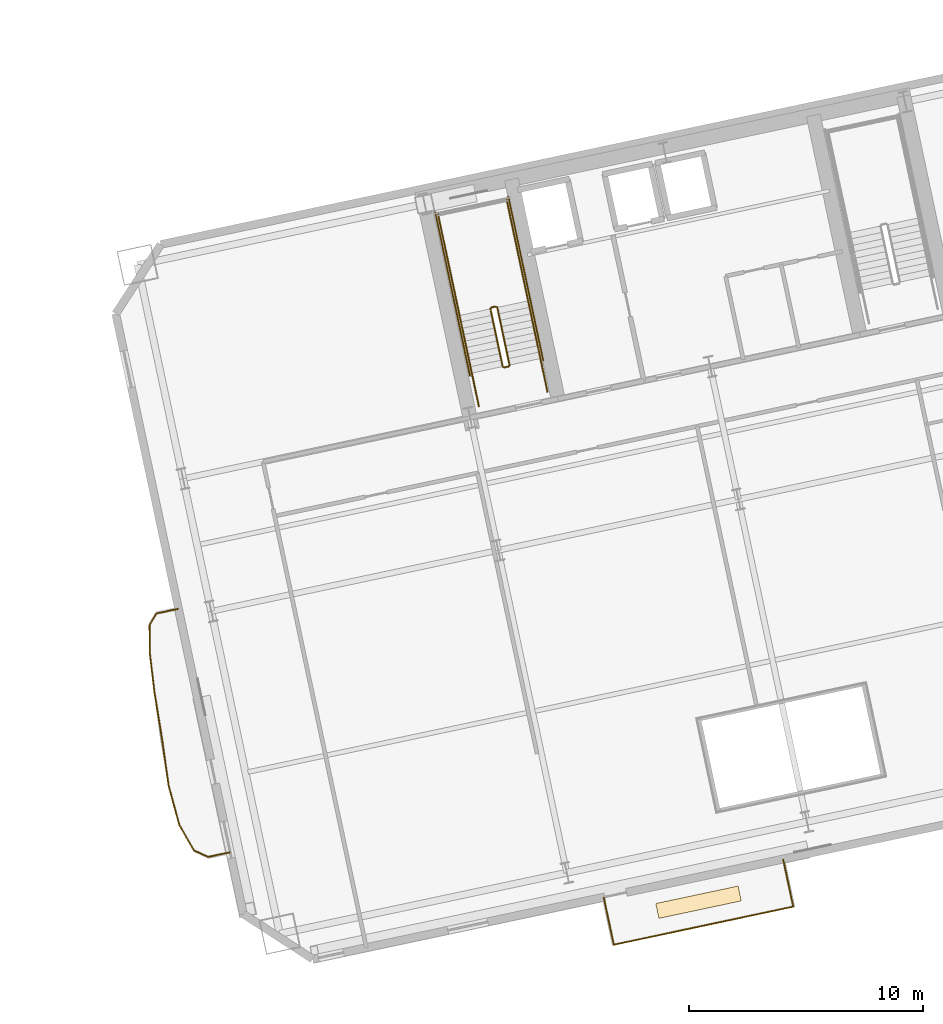
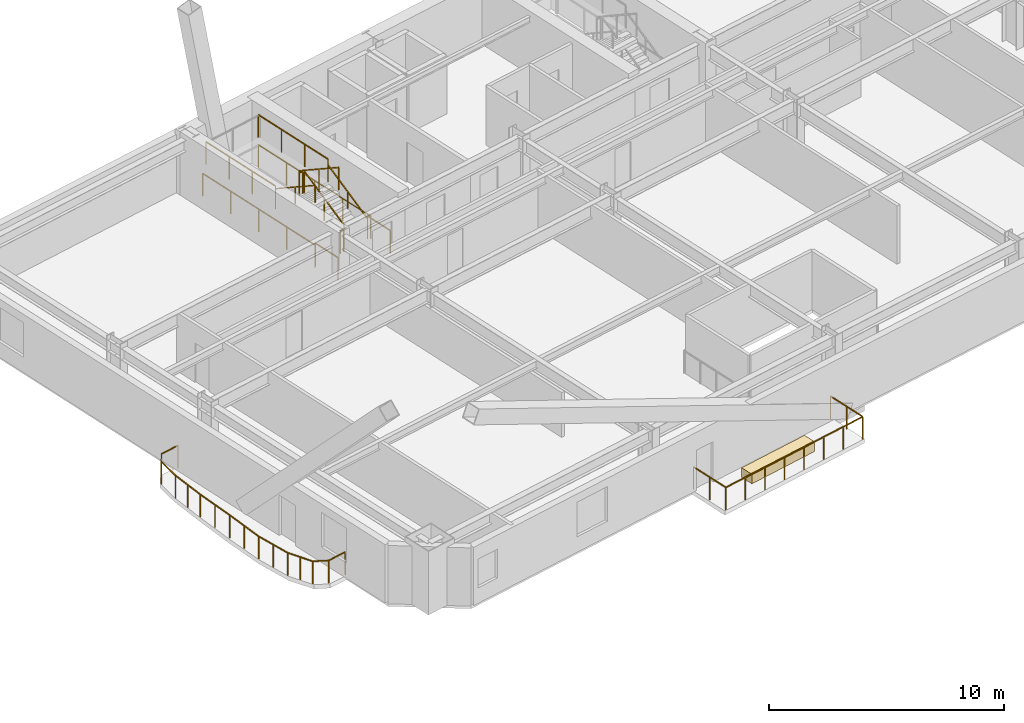
# One storey, part 15 of 18: 25 railings, 1 covering.
"""IFC4 building model written with IfcOpenShell, lengths in metres."""

from ifc_helpers import new_model, si_unit, direction, frame, origin, origin_2d, place, context, subcontext, project, spatial, rectangle, extrude, material, layer, layer_set, type_object, element, save


model = new_model("IFC4")

# Units and contexts
model_context = context("Model", 3, precision=1e-05, world=origin(), true_north=direction((0.0, 1.0)))
body_context = subcontext(model_context, "Body", "Model", "MODEL_VIEW")
ifc_project = project(units=[si_unit("LENGTHUNIT", "METRE"), si_unit("AREAUNIT", "SQUARE_METRE"), si_unit("VOLUMEUNIT", "CUBIC_METRE"), si_unit("PLANEANGLEUNIT", "RADIAN"), si_unit("MASSUNIT", "GRAM", prefix="KILO")], contexts=[model_context])

# Site, building, storey
site_placement = place(None, origin())
site = spatial("IfcSite", under=ifc_project, at=site_placement, CompositionType="ELEMENT")
building_placement = place(site_placement, origin())
building = spatial("IfcBuilding", under=site, at=building_placement, Name="Haevon Station Towers", CompositionType="ELEMENT")
storey_placement = place(building_placement, frame((0.0, 0.0, 60.300048828125)))
storey = spatial("IfcBuildingStorey", under=building, at=storey_placement, Name="L15", CompositionType="ELEMENT", Elevation=60.300048828125)

# Railings
ifc_material_1 = material(Name="Steel S355", Category="steel")
railing_type_1 = type_object("IfcRailingType", Name="GRD-EXT1200", PredefinedType="GUARDRAIL", material=ifc_material_1)
railing_1_placement = place(storey_placement, frame((86.256591796875, 29.2626953125, 0.0)))
element("IfcRailing", 1, at=railing_1_placement, inside=storey, type_object=railing_type_1, Name="L15 Perimeter Guardrail 1", PredefinedType="GUARDRAIL", context=body_context, shape_type="SweptSolid", body=[
    extrude(rectangle(XDim=0.048095703125, YDim=0.048095703125, at=origin_2d()), frame((0.0, 0.0, 1.17578125), z_axis=(-0.97773800114, -0.209829457244, 0.0), x_axis=(0.209829457244, -0.97773800114, 0.0)), (0.0, 0.0, 1.0), 0.943603515625),
    extrude(rectangle(XDim=0.0419921875, YDim=0.0419921875, at=origin_2d()), origin(), (0.0, 0.0, 1.0), 1.15185546875),
    extrude(rectangle(XDim=0.0419921875, YDim=0.0419921875, at=origin_2d()), frame((-0.922607421875, -0.197998046875, 0.0)), (0.0, 0.0, 1.0), 1.15185546875),
])
railing_2_placement = place(storey_placement, frame((85.333984375, 29.064697265625, 0.0)))
element("IfcRailing", 2, at=railing_2_placement, inside=storey, type_object=railing_type_1, Name="L15 Perimeter Guardrail 2", PredefinedType="GUARDRAIL", context=body_context, shape_type="SweptSolid", body=[
    extrude(rectangle(XDim=0.048095703125, YDim=0.048095703125, at=origin_2d()), frame((0.0, 0.0, 1.17578125), z_axis=(-0.516725234501, -0.856151290386, 0.0), x_axis=(0.856151290386, -0.516725234501, 0.0)), (0.0, 0.0, 1.0), 0.563232421875),
    extrude(rectangle(XDim=0.0419921875, YDim=0.0419921875, at=origin_2d()), origin(), (0.0, 0.0, 1.0), 1.15185546875),
    extrude(rectangle(XDim=0.0419921875, YDim=0.0419921875, at=origin_2d()), frame((-0.291015625, -0.482177734375, 0.0)), (0.0, 0.0, 1.0), 1.15185546875),
])
railing_3_placement = place(storey_placement, frame((85.04296875, 28.58251953125, 0.0)))
element("IfcRailing", 3, at=railing_3_placement, inside=storey, type_object=railing_type_1, Name="L15 Perimeter Guardrail 3", PredefinedType="GUARDRAIL", context=body_context, shape_type="SweptSolid", body=[
    extrude(rectangle(XDim=0.048095703125, YDim=0.048095703125, at=origin_2d()), frame((0.0, 0.0, 1.17578125), z_axis=(0.006742797265, -0.999977267084, 0.0), x_axis=(0.999977267084, 0.006742797265, 0.0)), (0.0, 0.0, 1.0), 1.19482421875),
    extrude(rectangle(XDim=0.0419921875, YDim=0.0419921875, at=origin_2d()), origin(), (0.0, 0.0, 1.0), 1.15185546875),
    extrude(rectangle(XDim=0.0419921875, YDim=0.0419921875, at=origin_2d()), frame((0.008056640625, -1.19482421875, 0.0)), (0.0, 0.0, 1.0), 1.15185546875),
])
railing_4_placement = place(storey_placement, frame((85.051025390625, 27.3876953125, 0.0)))
element("IfcRailing", 4, at=railing_4_placement, inside=storey, type_object=railing_type_1, Name="L15 Perimeter Guardrail 4", PredefinedType="GUARDRAIL", context=body_context, shape_type="SweptSolid", body=[
    extrude(rectangle(XDim=0.048095703125, YDim=0.048095703125, at=origin_2d()), frame((0.0, 0.0, 1.17578125), z_axis=(0.11880003649, -0.992918199717, 0.0), x_axis=(0.992918199717, 0.11880003649, 0.0)), (0.0, 0.0, 1.0), 1.757080078125),
    extrude(rectangle(XDim=0.0419921875, YDim=0.0419921875, at=origin_2d()), origin(), (0.0, 0.0, 1.0), 1.15185546875),
    extrude(rectangle(XDim=0.0419921875, YDim=0.0419921875, at=origin_2d()), frame((0.1044921875, -0.872314453125, 0.0)), (0.0, 0.0, 1.0), 1.15185546875),
    extrude(rectangle(XDim=0.0419921875, YDim=0.0419921875, at=origin_2d()), frame((0.208740234375, -1.74462890625, 0.0)), (0.0, 0.0, 1.0), 1.15185546875),
])
railing_5_placement = place(storey_placement, frame((85.259765625, 25.64306640625, 0.0)))
element("IfcRailing", 5, at=railing_5_placement, inside=storey, type_object=railing_type_1, Name="L15 Perimeter Guardrail 5", PredefinedType="GUARDRAIL", context=body_context, shape_type="SweptSolid", body=[
    extrude(rectangle(XDim=0.048095703125, YDim=0.048095703125, at=origin_2d()), frame((0.0, 0.0, 1.17578125), z_axis=(0.161236703903, -0.986915764042, 0.0), x_axis=(0.986915764042, 0.161236703903, 0.0)), (0.0, 0.0, 1.0), 1.9912109375),
    extrude(rectangle(XDim=0.0419921875, YDim=0.0419921875, at=origin_2d()), origin(), (0.0, 0.0, 1.0), 1.15185546875),
    extrude(rectangle(XDim=0.0419921875, YDim=0.0419921875, at=origin_2d()), frame((0.16064453125, -0.982421875, 0.0)), (0.0, 0.0, 1.0), 1.15185546875),
    extrude(rectangle(XDim=0.0419921875, YDim=0.0419921875, at=origin_2d()), frame((0.321044921875, -1.965087890625, 0.0)), (0.0, 0.0, 1.0), 1.15185546875),
])
railing_6_placement = place(storey_placement, frame((85.580810546875, 23.677978515625, 0.0)))
element("IfcRailing", 6, at=railing_6_placement, inside=storey, type_object=railing_type_1, Name="L15 Perimeter Guardrail 6", PredefinedType="GUARDRAIL", context=body_context, shape_type="SweptSolid", body=[
    extrude(rectangle(XDim=0.048095703125, YDim=0.048095703125, at=origin_2d()), frame((0.0, 0.0, 1.17578125), z_axis=(0.138834995519, -0.990315527506, 0.0), x_axis=(0.990315527506, 0.138834995519, 0.0)), (0.0, 0.0, 1.0), 1.995849609375),
    extrude(rectangle(XDim=0.0419921875, YDim=0.0419921875, at=origin_2d()), origin(), (0.0, 0.0, 1.0), 1.15185546875),
    extrude(rectangle(XDim=0.0419921875, YDim=0.0419921875, at=origin_2d()), frame((0.138671875, -0.98828125, 0.0)), (0.0, 0.0, 1.0), 1.15185546875),
    extrude(rectangle(XDim=0.0419921875, YDim=0.0419921875, at=origin_2d()), frame((0.277099609375, -1.9765625, 0.0)), (0.0, 0.0, 1.0), 1.15185546875),
])
railing_7_placement = place(storey_placement, frame((85.85791015625, 21.701416015625, 0.0)))
element("IfcRailing", 7, at=railing_7_placement, inside=storey, type_object=railing_type_1, Name="L15 Perimeter Guardrail 7", PredefinedType="GUARDRAIL", context=body_context, shape_type="SweptSolid", body=[
    extrude(rectangle(XDim=0.048095703125, YDim=0.048095703125, at=origin_2d()), frame((0.0, 0.0, 1.17578125), z_axis=(0.264025540485, -0.964515688816, 0.0), x_axis=(0.964515688816, 0.264025540485, 0.0)), (0.0, 0.0, 1.0), 1.75146484375),
    extrude(rectangle(XDim=0.0419921875, YDim=0.0419921875, at=origin_2d()), origin(), (0.0, 0.0, 1.0), 1.15185546875),
    extrude(rectangle(XDim=0.0419921875, YDim=0.0419921875, at=origin_2d()), frame((0.231201171875, -0.8447265625, 0.0)), (0.0, 0.0, 1.0), 1.15185546875),
    extrude(rectangle(XDim=0.0419921875, YDim=0.0419921875, at=origin_2d()), frame((0.46240234375, -1.689208984375, 0.0)), (0.0, 0.0, 1.0), 1.15185546875),
])
railing_8_placement = place(storey_placement, frame((86.3203125, 20.01220703125, 0.0)))
element("IfcRailing", 8, at=railing_8_placement, inside=storey, type_object=railing_type_1, Name="L15 Perimeter Guardrail 8", PredefinedType="GUARDRAIL", context=body_context, shape_type="SweptSolid", body=[
    extrude(rectangle(XDim=0.048095703125, YDim=0.048095703125, at=origin_2d()), frame((0.0, 0.0, 1.17578125), z_axis=(0.494703008184, -0.869062100022, 0.0), x_axis=(0.869062100022, 0.494703008184, 0.0)), (0.0, 0.0, 1.0), 1.227294921875),
    extrude(rectangle(XDim=0.0419921875, YDim=0.0419921875, at=origin_2d()), origin(), (0.0, 0.0, 1.0), 1.15185546875),
    extrude(rectangle(XDim=0.0419921875, YDim=0.0419921875, at=origin_2d()), frame((0.3037109375, -0.533203125, 0.0)), (0.0, 0.0, 1.0), 1.15185546875),
    extrude(rectangle(XDim=0.0419921875, YDim=0.0419921875, at=origin_2d()), frame((0.607177734375, -1.066650390625, 0.0)), (0.0, 0.0, 1.0), 1.15185546875),
])
railing_9_placement = place(storey_placement, frame((86.927490234375, 18.945556640625, 0.0)))
element("IfcRailing", 9, at=railing_9_placement, inside=storey, type_object=railing_type_1, Name="L15 Perimeter Guardrail 9", PredefinedType="GUARDRAIL", context=body_context, shape_type="SweptSolid", body=[
    extrude(rectangle(XDim=0.048095703125, YDim=0.048095703125, at=origin_2d()), frame((0.0, 0.0, 1.17578125), z_axis=(0.90625622048, -0.422728828969, 0.0), x_axis=(0.422728828969, 0.90625622048, 0.0)), (0.0, 0.0, 1.0), 0.6826171875),
    extrude(rectangle(XDim=0.0419921875, YDim=0.0419921875, at=origin_2d()), origin(), (0.0, 0.0, 1.0), 1.15185546875),
    extrude(rectangle(XDim=0.0419921875, YDim=0.0419921875, at=origin_2d()), frame((0.61865234375, -0.28857421875, 0.0)), (0.0, 0.0, 1.0), 1.15185546875),
])
railing_10_placement = place(storey_placement, frame((87.546142578125, 18.656982421875, 0.0)))
element("IfcRailing", 10, at=railing_10_placement, inside=storey, type_object=railing_type_1, Name="L15 Perimeter Guardrail 10", PredefinedType="GUARDRAIL", context=body_context, shape_type="SweptSolid", body=[
    extrude(rectangle(XDim=0.048095703125, YDim=0.048095703125, at=origin_2d()), frame((0.0, 0.0, 1.17578125), z_axis=(0.97862382912, 0.205658457349, 0.0), x_axis=(-0.205658457349, 0.97862382912, 0.0)), (0.0, 0.0, 1.0), 0.94384765625),
    extrude(rectangle(XDim=0.0419921875, YDim=0.0419921875, at=origin_2d()), origin(), (0.0, 0.0, 1.0), 1.15185546875),
    extrude(rectangle(XDim=0.0419921875, YDim=0.0419921875, at=origin_2d()), frame((0.923583984375, 0.194091796875, 0.0)), (0.0, 0.0, 1.0), 1.15185546875),
])
railing_11_placement = place(storey_placement, frame((104.9013671875, 14.8984375, 0.0)))
element("IfcRailing", 11, at=railing_11_placement, inside=storey, type_object=railing_type_1, Name="L15 Perimeter Guardrail 1", PredefinedType="GUARDRAIL", context=body_context, shape_type="SweptSolid", body=[
    extrude(rectangle(XDim=0.048095703125, YDim=0.048095703125, at=origin_2d()), frame((0.0, 0.0, 1.17578125), z_axis=(0.978146748157, 0.207915701837, 0.0), x_axis=(-0.207915701837, 0.978146748157, 0.0)), (0.0, 0.0, 1.0), 7.844970703125),
    extrude(rectangle(XDim=0.0419921875, YDim=0.0419921875, at=origin_2d()), origin(), (0.0, 0.0, 1.0), 1.15185546875),
    extrude(rectangle(XDim=0.0419921875, YDim=0.0419921875, at=origin_2d()), frame((1.09619140625, 0.23291015625, 0.0)), (0.0, 0.0, 1.0), 1.15185546875),
    extrude(rectangle(XDim=0.0419921875, YDim=0.0419921875, at=origin_2d()), frame((2.1923828125, 0.466064453125, 0.0)), (0.0, 0.0, 1.0), 1.15185546875),
    extrude(rectangle(XDim=0.0419921875, YDim=0.0419921875, at=origin_2d()), frame((3.28857421875, 0.698974609375, 0.0)), (0.0, 0.0, 1.0), 1.15185546875),
    extrude(rectangle(XDim=0.0419921875, YDim=0.0419921875, at=origin_2d()), frame((4.385009765625, 0.93212890625, 0.0)), (0.0, 0.0, 1.0), 1.15185546875),
    extrude(rectangle(XDim=0.0419921875, YDim=0.0419921875, at=origin_2d()), frame((5.481201171875, 1.1650390625, 0.0)), (0.0, 0.0, 1.0), 1.15185546875),
    extrude(rectangle(XDim=0.0419921875, YDim=0.0419921875, at=origin_2d()), frame((6.577392578125, 1.398193359375, 0.0)), (0.0, 0.0, 1.0), 1.15185546875),
    extrude(rectangle(XDim=0.0419921875, YDim=0.0419921875, at=origin_2d()), frame((7.673583984375, 1.631103515625, 0.0)), (0.0, 0.0, 1.0), 1.15185546875),
])
railing_12_placement = place(storey_placement, frame((112.574951171875, 16.529541015625, 0.0)))
element("IfcRailing", 12, at=railing_12_placement, inside=storey, type_object=railing_type_1, Name="L15 Perimeter Guardrail 2", PredefinedType="GUARDRAIL", context=body_context, shape_type="SweptSolid", body=[
    extrude(rectangle(XDim=0.048095703125, YDim=0.048095703125, at=origin_2d()), frame((0.0, 0.0, 1.17578125), z_axis=(-0.207848806692, 0.978160965055, 0.0), x_axis=(-0.978160965055, -0.207848806692, 0.0)), (0.0, 0.0, 1.0), 2.054443359375),
    extrude(rectangle(XDim=0.0419921875, YDim=0.0419921875, at=origin_2d()), origin(), (0.0, 0.0, 1.0), 1.15185546875),
    extrude(rectangle(XDim=0.0419921875, YDim=0.0419921875, at=origin_2d()), frame((-0.21337890625, 1.0048828125, 0.0)), (0.0, 0.0, 1.0), 1.15185546875),
    extrude(rectangle(XDim=0.0419921875, YDim=0.0419921875, at=origin_2d()), frame((-0.427001953125, 2.009521484375, 0.0)), (0.0, 0.0, 1.0), 1.15185546875),
])
railing_13_placement = place(storey_placement, frame((104.47412109375, 16.907958984375, 0.0)))
element("IfcRailing", 13, at=railing_13_placement, inside=storey, type_object=railing_type_1, Name="L15 Perimeter Guardrail 3", PredefinedType="GUARDRAIL", context=body_context, shape_type="SweptSolid", body=[
    extrude(rectangle(XDim=0.048095703125, YDim=0.048095703125, at=origin_2d()), frame((0.0, 0.0, 1.17578125), z_axis=(0.207962507169, -0.978136798005, 0.0), x_axis=(0.978136798005, 0.207962507169, 0.0)), (0.0, 0.0, 1.0), 2.054443359375),
    extrude(rectangle(XDim=0.0419921875, YDim=0.0419921875, at=origin_2d()), origin(), (0.0, 0.0, 1.0), 1.15185546875),
    extrude(rectangle(XDim=0.0419921875, YDim=0.0419921875, at=origin_2d()), frame((0.213623046875, -1.0048828125, 0.0)), (0.0, 0.0, 1.0), 1.15185546875),
    extrude(rectangle(XDim=0.0419921875, YDim=0.0419921875, at=origin_2d()), frame((0.42724609375, -2.009521484375, 0.0)), (0.0, 0.0, 1.0), 1.15185546875),
])
railing_type_2 = type_object("IfcRailingType", Name="GRD-STR1200", PredefinedType="GUARDRAIL", material=ifc_material_1)
railing_14_placement = place(storey_placement, frame((100.44140625, 39.69287109375, 0.1650390625)))
element("IfcRailing", 14, at=railing_14_placement, inside=storey, type_object=railing_type_2, Name="L15 ST3 Stair Guard 1", PredefinedType="GUARDRAIL", context=body_context, shape_type="SweptSolid", body=[
    extrude(rectangle(XDim=0.048095703125, YDim=0.048095703125, at=origin_2d()), frame((0.0, 0.0, 1.17578125), z_axis=(-0.179128856099, 0.842723639875, 0.507670877349), x_axis=(-0.978147030254, -0.207914374695, 0.0)), (0.0, 0.0, 1.0), 2.9248046875),
    extrude(rectangle(XDim=0.0419921875, YDim=0.0419921875, at=origin_2d()), origin(), (0.0, 0.0, 1.0), 1.15185546875),
    extrude(rectangle(XDim=0.0419921875, YDim=0.0419921875, at=origin_2d()), frame((-0.261962890625, 1.232421875, 0.742431640625)), (0.0, 0.0, 1.0), 1.15185546875),
    extrude(rectangle(XDim=0.0419921875, YDim=0.0419921875, at=origin_2d()), frame((-0.52392578125, 2.46484375, 1.48486328125)), (0.0, 0.0, 1.0), 1.15185546875),
])
railing_15_placement = place(storey_placement, frame((99.858154296875, 42.1962890625, 1.64990234375)))
element("IfcRailing", 15, at=railing_15_placement, inside=storey, type_object=railing_type_2, Name="L15 ST3 Stair Guard 2", PredefinedType="GUARDRAIL", context=body_context, shape_type="SweptSolid", body=[
    extrude(rectangle(XDim=0.048095703125, YDim=0.048095703125, at=origin_2d()), frame((0.0, 0.0, 1.17578125), z_axis=(-0.977962931203, -0.208778603291, 0.0), x_axis=(0.208778603291, -0.977962931203, 0.0)), (0.0, 0.0, 1.0), 0.199951171875),
    extrude(rectangle(XDim=0.0419921875, YDim=0.0419921875, at=origin_2d()), origin(), (0.0, 0.0, 1.0), 1.15185546875),
    extrude(rectangle(XDim=0.0419921875, YDim=0.0419921875, at=origin_2d()), frame((-0.195556640625, -0.041748046875, 0.0)), (0.0, 0.0, 1.0), 1.15185546875),
])
railing_16_placement = place(storey_placement, frame((101.238037109375, 42.4384765625, 1.64990234375)))
element("IfcRailing", 16, at=railing_16_placement, inside=storey, type_object=railing_type_2, Name="L15 ST3 Stair Guard 3", PredefinedType="GUARDRAIL", context=body_context, shape_type="SweptSolid", body=[
    extrude(rectangle(XDim=0.048095703125, YDim=0.048095703125, at=origin_2d()), frame((0.0, 0.0, 1.17578125), z_axis=(-0.20794048909, 0.978141479029, 0.0), x_axis=(-0.978141479029, -0.20794048909, 0.0)), (0.0, 0.0, 1.0), 4.429931640625),
    extrude(rectangle(XDim=0.0419921875, YDim=0.0419921875, at=origin_2d()), origin(), (0.0, 0.0, 1.0), 1.15185546875),
    extrude(rectangle(XDim=0.0419921875, YDim=0.0419921875, at=origin_2d()), frame((-0.30712890625, 1.4443359375, 0.0)), (0.0, 0.0, 1.0), 1.15185546875),
    extrude(rectangle(XDim=0.0419921875, YDim=0.0419921875, at=origin_2d()), frame((-0.614013671875, 2.888671875, 0.0)), (0.0, 0.0, 1.0), 1.15185546875),
    extrude(rectangle(XDim=0.0419921875, YDim=0.0419921875, at=origin_2d()), frame((-0.921142578125, 4.3330078125, 0.0)), (0.0, 0.0, 1.0), 1.15185546875),
])
railing_17_placement = place(storey_placement, frame((98.303466796875, 41.814697265625, 1.64990234375)))
element("IfcRailing", 17, at=railing_17_placement, inside=storey, type_object=railing_type_2, Name="L15 ST3 Stair Guard 4", PredefinedType="GUARDRAIL", context=body_context, shape_type="SweptSolid", body=[
    extrude(rectangle(XDim=0.048095703125, YDim=0.048095703125, at=origin_2d()), frame((0.0, 0.0, 1.17578125), z_axis=(-0.207876551949, 0.978155069071, 0.0), x_axis=(-0.978155069071, -0.207876551949, 0.0)), (0.0, 0.0, 1.0), 4.429931640625),
    extrude(rectangle(XDim=0.0419921875, YDim=0.0419921875, at=origin_2d()), origin(), (0.0, 0.0, 1.0), 1.15185546875),
    extrude(rectangle(XDim=0.0419921875, YDim=0.0419921875, at=origin_2d()), frame((-0.306884765625, 1.4443359375, 0.0)), (0.0, 0.0, 1.0), 1.15185546875),
    extrude(rectangle(XDim=0.0419921875, YDim=0.0419921875, at=origin_2d()), frame((-0.614013671875, 2.888916015625, 0.0)), (0.0, 0.0, 1.0), 1.15185546875),
    extrude(rectangle(XDim=0.0419921875, YDim=0.0419921875, at=origin_2d()), frame((-0.9208984375, 4.333251953125, 0.0)), (0.0, 0.0, 1.0), 1.15185546875),
])
railing_18_placement = place(storey_placement, frame((99.6240234375, 42.09521484375, 1.81494140625)))
element("IfcRailing", 18, at=railing_18_placement, inside=storey, type_object=railing_type_2, Name="L15 ST3 Stair Guard 6", PredefinedType="GUARDRAIL", context=body_context, shape_type="SweptSolid", body=[
    extrude(rectangle(XDim=0.048095703125, YDim=0.048095703125, at=origin_2d()), frame((0.0, 0.0, 1.17578125), z_axis=(0.179121265225, -0.842687928106, 0.507732831485), x_axis=(0.978147030254, 0.207914374695, 0.0)), (0.0, 0.0, 1.0), 2.925048828125),
    extrude(rectangle(XDim=0.0419921875, YDim=0.0419921875, at=origin_2d()), origin(), (0.0, 0.0, 1.0), 1.15185546875),
    extrude(rectangle(XDim=0.0419921875, YDim=0.0419921875, at=origin_2d()), frame((0.261962890625, -1.232421875, 0.74267578125)), (0.0, 0.0, 1.0), 1.15185546875),
    extrude(rectangle(XDim=0.0419921875, YDim=0.0419921875, at=origin_2d()), frame((0.52392578125, -2.46484375, 1.485107421875)), (0.0, 0.0, 1.0), 1.15185546875),
])
railing_19_placement = place(storey_placement, frame((100.40283203125, 39.633544921875, 0.0)))
element("IfcRailing", 19, at=railing_19_placement, inside=storey, type_object=railing_type_2, Name="L15 ST3 Stair Guard 7", PredefinedType="GUARDRAIL", context=body_context, shape_type="SweptSolid", body=[
    extrude(rectangle(XDim=0.048095703125, YDim=0.048095703125, at=origin_2d()), frame((0.0, 0.0, 1.17578125), z_axis=(-0.977962931203, -0.208778603291, 0.0), x_axis=(0.208778603291, -0.977962931203, 0.0)), (0.0, 0.0, 1.0), 0.199951171875),
    extrude(rectangle(XDim=0.0419921875, YDim=0.0419921875, at=origin_2d()), origin(), (0.0, 0.0, 1.0), 1.15185546875),
    extrude(rectangle(XDim=0.0419921875, YDim=0.0419921875, at=origin_2d()), frame((-0.195556640625, -0.041748046875, 0.0)), (0.0, 0.0, 1.0), 1.15185546875),
])
for number, where, name in (
    (20, (102.0634765625, 38.55517578125, 0.0), "L15 ST3 Stair Guard 8"),
    (21, (99.12890625, 37.931396484375, 0.0), "L15 ST3 Stair Guard 9"),
):
    element("IfcRailing", number, at=place(storey_placement, frame(where)), inside=storey, type_object=railing_type_2, Name=name, PredefinedType="GUARDRAIL", context=body_context, shape_type="SweptSolid", body=[
        extrude(rectangle(XDim=0.048095703125, YDim=0.048095703125, at=origin_2d()), frame((0.0, 0.0, 1.17578125), z_axis=(-0.207953405961, 0.978138732977, 0.0), x_axis=(-0.978138732977, -0.207953405961, 0.0)), (0.0, 0.0, 1.0), 1.449951171875),
        extrude(rectangle(XDim=0.0419921875, YDim=0.0419921875, at=origin_2d()), origin(), (0.0, 0.0, 1.0), 1.15185546875),
        extrude(rectangle(XDim=0.0419921875, YDim=0.0419921875, at=origin_2d()), frame((-0.301513671875, 1.418212890625, 0.0)), (0.0, 0.0, 1.0), 1.15185546875),
    ])
railing_20_placement = place(storey_placement, frame((101.88037109375, 39.896484375, 0.0)))
element("IfcRailing", 22, at=railing_20_placement, inside=storey, type_object=railing_type_2, Name="L15 ST3 Stair Guard 10", PredefinedType="GUARDRAIL", context=body_context, shape_type="SweptSolid", body=[
    extrude(rectangle(XDim=0.048095703125, YDim=0.048095703125, at=origin_2d()), frame((0.0, 0.0, 1.17578125), z_axis=(-0.207882442208, 0.978153817261, 0.0), x_axis=(-0.978153817261, -0.207882442208, 0.0)), (0.0, 0.0, 1.0), 7.14990234375),
    extrude(rectangle(XDim=0.0419921875, YDim=0.0419921875, at=origin_2d()), origin(), (0.0, 0.0, 1.0), 1.15185546875),
    extrude(rectangle(XDim=0.0419921875, YDim=0.0419921875, at=origin_2d()), frame((-0.37158203125, 1.74853515625, 0.0)), (0.0, 0.0, 1.0), 1.15185546875),
    extrude(rectangle(XDim=0.0419921875, YDim=0.0419921875, at=origin_2d()), frame((-0.7431640625, 3.496826171875, 0.0)), (0.0, 0.0, 1.0), 1.15185546875),
    extrude(rectangle(XDim=0.0419921875, YDim=0.0419921875, at=origin_2d()), frame((-1.11474609375, 5.2451171875, 0.0)), (0.0, 0.0, 1.0), 1.15185546875),
    extrude(rectangle(XDim=0.0419921875, YDim=0.0419921875, at=origin_2d()), frame((-1.486328125, 6.99365234375, 0.0)), (0.0, 0.0, 1.0), 1.15185546875),
])
railing_21_placement = place(storey_placement, frame((98.75048828125, 39.231201171875, 0.0)))
element("IfcRailing", 23, at=railing_21_placement, inside=storey, type_object=railing_type_2, Name="L15 ST3 Stair Guard 11", PredefinedType="GUARDRAIL", context=body_context, shape_type="SweptSolid", body=[
    extrude(rectangle(XDim=0.048095703125, YDim=0.048095703125, at=origin_2d()), frame((0.0, 0.0, 1.17578125), z_axis=(-0.207915112487, 0.978146873429, 0.0), x_axis=(-0.978146873429, -0.207915112487, 0.0)), (0.0, 0.0, 1.0), 7.14990234375),
    extrude(rectangle(XDim=0.0419921875, YDim=0.0419921875, at=origin_2d()), origin(), (0.0, 0.0, 1.0), 1.15185546875),
    extrude(rectangle(XDim=0.0419921875, YDim=0.0419921875, at=origin_2d()), frame((-0.37158203125, 1.74853515625, 0.0)), (0.0, 0.0, 1.0), 1.15185546875),
    extrude(rectangle(XDim=0.0419921875, YDim=0.0419921875, at=origin_2d()), frame((-0.7431640625, 3.496826171875, 0.0)), (0.0, 0.0, 1.0), 1.15185546875),
    extrude(rectangle(XDim=0.0419921875, YDim=0.0419921875, at=origin_2d()), frame((-1.114990234375, 5.2451171875, 0.0)), (0.0, 0.0, 1.0), 1.15185546875),
    extrude(rectangle(XDim=0.0419921875, YDim=0.0419921875, at=origin_2d()), frame((-1.486572265625, 6.99365234375, 0.0)), (0.0, 0.0, 1.0), 1.15185546875),
])
railing_type_3 = type_object("IfcRailingType", Name="HND-STR900", PredefinedType="HANDRAIL", material=ifc_material_1)
railing_22_placement = place(storey_placement, frame((101.761962890625, 39.973388671875, 0.1650390625)))
element("IfcRailing", 24, at=railing_22_placement, inside=storey, type_object=railing_type_3, Name="L15 ST3 Stair Handrail 1", PredefinedType="HANDRAIL", context=body_context, shape_type="SweptSolid", body=[
    extrude(rectangle(XDim=0.048095703125, YDim=0.048095703125, at=origin_2d()), frame((0.0, 0.0, 0.8759765625), z_axis=(-0.179116256339, 0.842747828638, 0.507635168246), x_axis=(-0.978151217824, -0.207894673017, 0.0)), (0.0, 0.0, 1.0), 2.925048828125),
    extrude(rectangle(XDim=0.0419921875, YDim=0.0419921875, at=origin_2d()), origin(), (0.0, 0.0, 1.0), 0.851806640625),
    extrude(rectangle(XDim=0.0419921875, YDim=0.0419921875, at=origin_2d()), frame((-0.261962890625, 1.232421875, 0.742431640625)), (0.0, 0.0, 1.0), 0.851806640625),
    extrude(rectangle(XDim=0.0419921875, YDim=0.0419921875, at=origin_2d()), frame((-0.52392578125, 2.465087890625, 1.48486328125)), (0.0, 0.0, 1.0), 0.851806640625),
])
railing_23_placement = place(storey_placement, frame((98.303466796875, 41.814697265625, 1.81494140625)))
element("IfcRailing", 25, at=railing_23_placement, inside=storey, type_object=railing_type_3, Name="L15 ST3 Stair Handrail 2", PredefinedType="HANDRAIL", context=body_context, shape_type="SweptSolid", body=[
    extrude(rectangle(XDim=0.048095703125, YDim=0.048095703125, at=origin_2d()), frame((0.0, 0.0, 0.8759765625), z_axis=(0.179108667068, -0.842712120868, 0.50769712105), x_axis=(0.978151217824, 0.207894673017, 0.0)), (0.0, 0.0, 1.0), 2.92529296875),
    extrude(rectangle(XDim=0.0419921875, YDim=0.0419921875, at=origin_2d()), origin(), (0.0, 0.0, 1.0), 0.851806640625),
    extrude(rectangle(XDim=0.0419921875, YDim=0.0419921875, at=origin_2d()), frame((0.261962890625, -1.232421875, 0.74267578125)), (0.0, 0.0, 1.0), 0.851806640625),
    extrude(rectangle(XDim=0.0419921875, YDim=0.0419921875, at=origin_2d()), frame((0.52392578125, -2.465087890625, 1.485107421875)), (0.0, 0.0, 1.0), 0.851806640625),
])

# Covering
ifc_material_2 = material(Name="Architectural planter GRC", Category="concrete")
ifc_layer = layer(ifc_material_2, 0.550048828125)
ifc_layer_set = layer_set([ifc_layer], Name="Architectural planter GRC")
covering_type = type_object("IfcCoveringType", Name="PLN-GRC550", PredefinedType="MOLDING", material=ifc_layer_set)
covering_placement = place(storey_placement, frame((108.524658203125, 16.71875, 0.0), z_axis=(0.0, 0.0, 1.0), x_axis=(0.978147600734, 0.207911690818, 0.0)))
element("IfcCovering", 26, at=covering_placement, inside=storey, type_object=covering_type, Name="Tower 2 L15 Facade Trough PLANTER", PredefinedType="MOLDING", context=body_context, shape_type="SweptSolid", body=[
    extrude(rectangle(XDim=3.60009765625, YDim=0.64990234375, at=origin_2d()), origin(), (0.0, 0.0, 1.0), 0.5),
])

save(model, "model.ifc")
